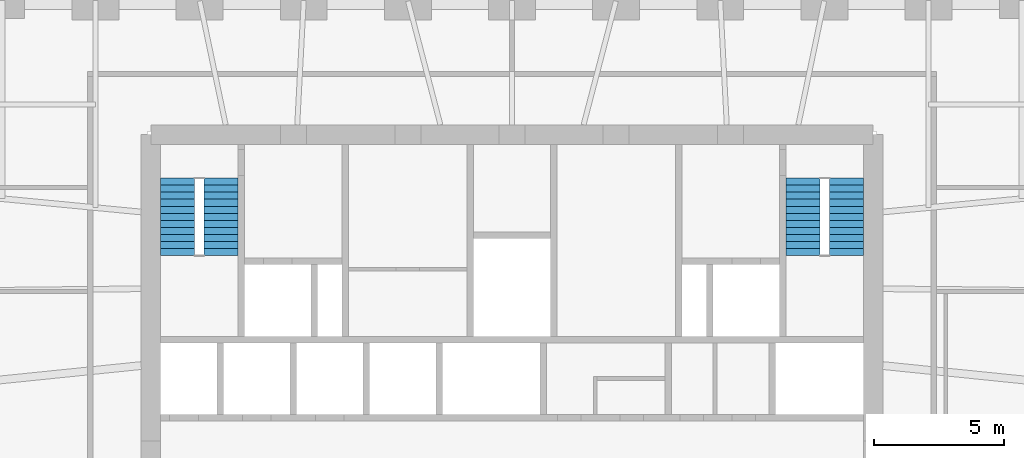
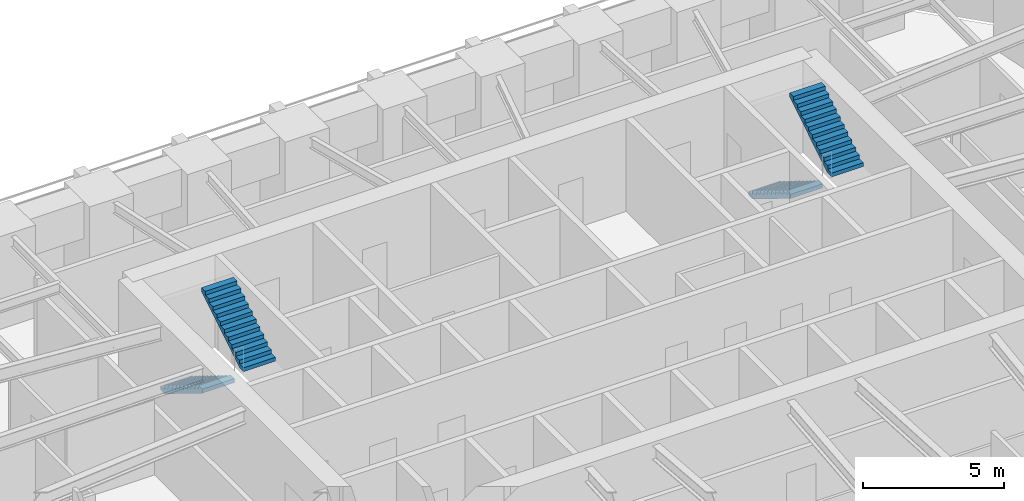
# One storey, part 8 of 10: 4 stair flights, 2 elements without a shape of their own.
"""IFC4 building model written with IfcOpenShell, lengths in metres."""

from ifc_helpers import new_model, si_unit, direction, frame, origin, place, context, subcontext, project, spatial, polyline, outline, extrude, material, type_object, element, aggregate, save


model = new_model("IFC4")

# Units and contexts
model_context = context("Model", 3, precision=1e-05, world=origin(), true_north=direction((0.0, 1.0)))
body_context = subcontext(model_context, "Body", "Model", "MODEL_VIEW")
ifc_project = project(units=[si_unit("LENGTHUNIT", "METRE"), si_unit("AREAUNIT", "SQUARE_METRE"), si_unit("VOLUMEUNIT", "CUBIC_METRE"), si_unit("PLANEANGLEUNIT", "RADIAN"), si_unit("MASSUNIT", "GRAM", prefix="KILO")], contexts=[model_context])

# Site, building, storey
site_placement = place(None, origin())
site = spatial("IfcSite", under=ifc_project, at=site_placement, CompositionType="ELEMENT")
building_placement = place(site_placement, origin())
building = spatial("IfcBuilding", under=site, at=building_placement, Name="Isbrekke Arena Tower", CompositionType="ELEMENT")
storey_placement = place(building_placement, frame((0.0, 0.0, 103.0)))
storey = spatial("IfcBuildingStorey", under=building, at=storey_placement, Name="L22", CompositionType="ELEMENT", Elevation=103.0)

# Stair, stair flights
ifc_material_1 = material(Name="Concrete B45 (C45/55) precast", Category="concrete")
stair_type = type_object("IfcStairType", Name="ST40 STAIR 1300 WIDE, 24 RISERS 167", PredefinedType="HALF_TURN_STAIR", material=ifc_material_1)
stair_1_placement = place(storey_placement, origin())
stair_1 = element("IfcStair", 1, at=stair_1_placement, inside=storey, type_object=stair_type, Name="ST1 stair L22", PredefinedType="HALF_TURN_STAIR")
ifc_material_2 = material(Name="Concrete B45 (C45/55) precast", Category="concrete")
stair_flight_type = type_object("IfcStairFlightType", Name="SF 1300 FLIGHT", PredefinedType="STRAIGHT", material=ifc_material_2)
stair_flight_1_placement = place(storey_placement, frame((-12.85009765625, 22.199951171875, 0.0), z_axis=(0.0, 0.0, 1.0), x_axis=(0.0, -1.0, 0.0)))
stair_flight_1 = element("IfcStairFlight", 2, at=stair_flight_1_placement, type_object=stair_flight_type, Name="ST1 flight 1", NumberOfRisers=12, NumberOfTreads=11, PredefinedType="STRAIGHT", RiserHeight=0.166666667, TreadLength=0.27, context=body_context, shape_type="SweptSolid", body=[
    extrude(outline(polyline([(0.0, 0.0), (0.0, 0.166748046875), (0.27001953125, 0.166748046875), (0.27001953125, 0.333251953125), (0.5400390625, 0.333251953125), (0.5400390625, 0.5), (0.81005859375, 0.5), (0.81005859375, 0.666748046875), (1.080078125, 0.666748046875), (1.080078125, 0.833251953125), (1.35009765625, 0.833251953125), (1.35009765625, 1.0), (1.6201171875, 1.0), (1.6201171875, 1.166748046875), (1.889892578125, 1.166748046875), (1.889892578125, 1.333251953125), (2.159912109375, 1.333251953125), (2.159912109375, 1.5), (2.429931640625, 1.5), (2.429931640625, 1.666748046875), (2.699951171875, 1.666748046875), (2.699951171875, 1.833251953125), (2.969970703125, 1.833251953125), (2.969970703125, 2.0), (2.969970703125, 1.6572265625), (0.285400390625, 0.0), (0.0, 0.0)])), frame((0.0, 0.64990234375, 0.0), z_axis=(0.0, -1.0, 0.0), x_axis=(1.0, 0.0, 0.0)), (0.0, 0.0, 1.0), 1.300048828125),
])
stair_flight_2_placement = place(storey_placement, frame((-11.175048828125, 19.22998046875, 2.0), z_axis=(0.0, 0.0, 1.0), x_axis=(0.0, 1.0, 0.0)))
stair_flight_2 = element("IfcStairFlight", 3, at=stair_flight_2_placement, type_object=stair_flight_type, Name="ST1 flight 2", NumberOfRisers=12, NumberOfTreads=11, PredefinedType="STRAIGHT", RiserHeight=0.166666667, TreadLength=0.27, context=body_context, shape_type="SweptSolid", body=[
    extrude(outline(polyline([(0.0, 0.0), (0.0, 0.166748046875), (0.27001953125, 0.166748046875), (0.27001953125, 0.333251953125), (0.5400390625, 0.333251953125), (0.5400390625, 0.5), (0.81005859375, 0.5), (0.81005859375, 0.666748046875), (1.080078125, 0.666748046875), (1.080078125, 0.833251953125), (1.35009765625, 0.833251953125), (1.35009765625, 1.0), (1.6201171875, 1.0), (1.6201171875, 1.166748046875), (1.889892578125, 1.166748046875), (1.889892578125, 1.333251953125), (2.159912109375, 1.333251953125), (2.159912109375, 1.5), (2.429931640625, 1.5), (2.429931640625, 1.666748046875), (2.699951171875, 1.666748046875), (2.699951171875, 1.833251953125), (2.969970703125, 1.833251953125), (2.969970703125, 2.0), (2.969970703125, 1.6572265625), (0.285400390625, 0.0), (0.0, 0.0)])), frame((0.0, 0.64990234375, 0.0), z_axis=(0.0, -1.0, 0.0), x_axis=(1.0, 0.0, 0.0)), (0.0, 0.0, 1.0), 1.300048828125),
])
aggregate(stair_1, [stair_flight_1, stair_flight_2])

stair_2_placement = place(storey_placement, origin())
stair_2 = element("IfcStair", 4, at=stair_2_placement, inside=storey, type_object=stair_type, Name="ST2 stair L22", PredefinedType="HALF_TURN_STAIR")
stair_flight_3_placement = place(storey_placement, frame((11.175048828125, 22.199951171875, 0.0), z_axis=(0.0, 0.0, 1.0), x_axis=(0.0, -1.0, 0.0)))
stair_flight_3 = element("IfcStairFlight", 5, at=stair_flight_3_placement, type_object=stair_flight_type, Name="ST2 flight 1", NumberOfRisers=12, NumberOfTreads=11, PredefinedType="STRAIGHT", RiserHeight=0.166666667, TreadLength=0.27, context=body_context, shape_type="SweptSolid", body=[
    extrude(outline(polyline([(0.0, 0.0), (0.0, 0.166748046875), (0.27001953125, 0.166748046875), (0.27001953125, 0.333251953125), (0.5400390625, 0.333251953125), (0.5400390625, 0.5), (0.81005859375, 0.5), (0.81005859375, 0.666748046875), (1.080078125, 0.666748046875), (1.080078125, 0.833251953125), (1.35009765625, 0.833251953125), (1.35009765625, 1.0), (1.6201171875, 1.0), (1.6201171875, 1.166748046875), (1.889892578125, 1.166748046875), (1.889892578125, 1.333251953125), (2.159912109375, 1.333251953125), (2.159912109375, 1.5), (2.429931640625, 1.5), (2.429931640625, 1.666748046875), (2.699951171875, 1.666748046875), (2.699951171875, 1.833251953125), (2.969970703125, 1.833251953125), (2.969970703125, 2.0), (2.969970703125, 1.6572265625), (0.285400390625, 0.0), (0.0, 0.0)])), frame((0.0, 0.64990234375, 0.0), z_axis=(0.0, -1.0, 0.0), x_axis=(1.0, 0.0, 0.0)), (0.0, 0.0, 1.0), 1.300048828125),
])
stair_flight_4_placement = place(storey_placement, frame((12.85009765625, 19.22998046875, 2.0), z_axis=(0.0, 0.0, 1.0), x_axis=(0.0, 1.0, 0.0)))
stair_flight_4 = element("IfcStairFlight", 6, at=stair_flight_4_placement, type_object=stair_flight_type, Name="ST2 flight 2", NumberOfRisers=12, NumberOfTreads=11, PredefinedType="STRAIGHT", RiserHeight=0.166666667, TreadLength=0.27, context=body_context, shape_type="SweptSolid", body=[
    extrude(outline(polyline([(0.0, 0.0), (0.0, 0.166748046875), (0.27001953125, 0.166748046875), (0.27001953125, 0.333251953125), (0.5400390625, 0.333251953125), (0.5400390625, 0.5), (0.81005859375, 0.5), (0.81005859375, 0.666748046875), (1.080078125, 0.666748046875), (1.080078125, 0.833251953125), (1.35009765625, 0.833251953125), (1.35009765625, 1.0), (1.6201171875, 1.0), (1.6201171875, 1.166748046875), (1.889892578125, 1.166748046875), (1.889892578125, 1.333251953125), (2.159912109375, 1.333251953125), (2.159912109375, 1.5), (2.429931640625, 1.5), (2.429931640625, 1.666748046875), (2.699951171875, 1.666748046875), (2.699951171875, 1.833251953125), (2.969970703125, 1.833251953125), (2.969970703125, 2.0), (2.969970703125, 1.6572265625), (0.285400390625, 0.0), (0.0, 0.0)])), frame((0.0, 0.64990234375, 0.0), z_axis=(0.0, -1.0, 0.0), x_axis=(1.0, 0.0, 0.0)), (0.0, 0.0, 1.0), 1.300048828125),
])
aggregate(stair_2, [stair_flight_3, stair_flight_4])

save(model, "model.ifc")
